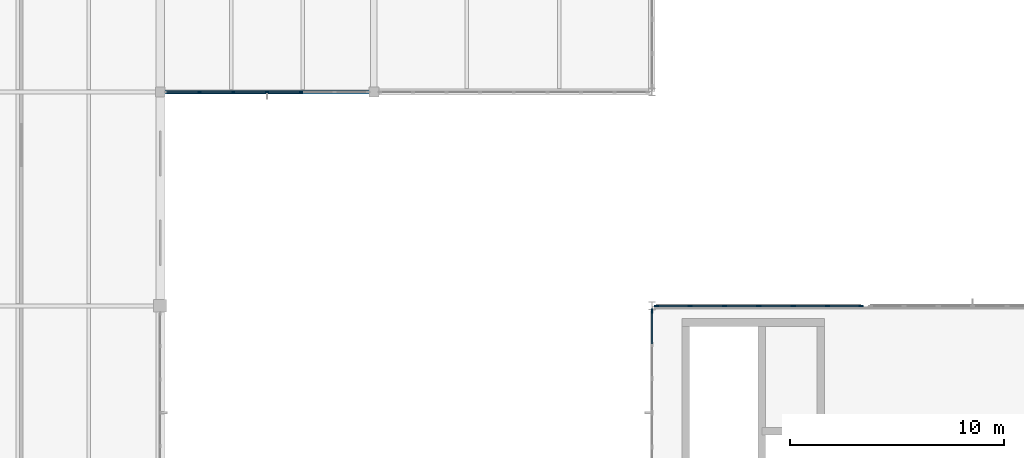
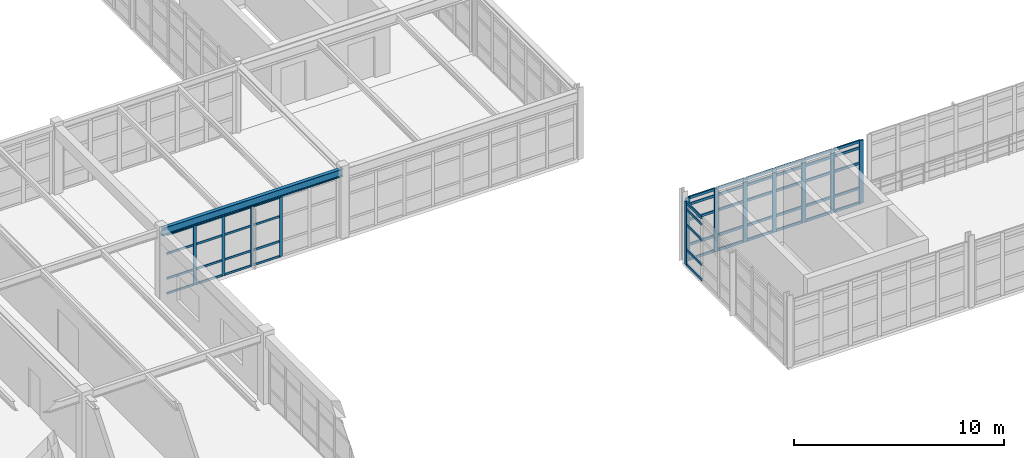
# One storey, part 37 of 122: 63 members, 1 beam, 3 elements without a shape of their own.
"""IFC4 building model written with IfcOpenShell, lengths in metres."""

from ifc_helpers import new_model, si_unit, direction, frame, origin, origin_2d, place, context, subcontext, project, spatial, rectangle, i_section, extrude, material, layer, layer_set, material_profile, profile_set, type_object, element, aggregate, save


model = new_model("IFC4")

# Units and contexts
model_context = context("Model", 3, precision=1e-05, world=origin(), true_north=direction((0.0, 1.0)))
body_context = subcontext(model_context, "Body", "Model", "MODEL_VIEW")
ifc_project = project(units=[si_unit("LENGTHUNIT", "METRE"), si_unit("AREAUNIT", "SQUARE_METRE"), si_unit("VOLUMEUNIT", "CUBIC_METRE"), si_unit("PLANEANGLEUNIT", "RADIAN"), si_unit("MASSUNIT", "GRAM", prefix="KILO"), si_unit("THERMODYNAMICTEMPERATUREUNIT", "KELVIN"), si_unit("POWERUNIT", "WATT")], contexts=[model_context])

# Site, building, storey
site_placement = place(None, origin())
site = spatial("IfcSite", under=ifc_project, at=site_placement, CompositionType="ELEMENT")
building_placement = place(site_placement, origin())
building = spatial("IfcBuilding", under=site, at=building_placement, Name="Korenveer Ferry Terminal", CompositionType="ELEMENT")
storey_placement = place(building_placement, frame((0.0, 0.0, 10.199951171875)))
storey = spatial("IfcBuildingStorey", under=building, at=storey_placement, Name="L02", CompositionType="ELEMENT", Elevation=10.199951171875)

# Curtain wall, members
ifc_material_1 = material(Name="Unitised bronze-and-glass curtain wall", Category="glass")
ifc_layer_1 = layer(ifc_material_1, 0.159912109375)
ifc_layer_set_1 = layer_set([ifc_layer_1], Name="Unitised bronze-and-glass curtain wall")
curtain_wall_type_1 = type_object("IfcCurtainWallType", Name="ENV-CW-89", PredefinedType="USERDEFINED", material=ifc_layer_set_1)
curtain_wall_1_placement = place(storey_placement, frame((30.2548828125, 70.0, 0.0)))
curtain_wall_1 = element("IfcCurtainWall", 1, at=curtain_wall_1_placement, inside=storey, type_object=curtain_wall_type_1, Name="Lancet curtain wall CWX-L02-X30-40-Y70-70", ObjectType="UNITISED CURTAIN WALL", PredefinedType="USERDEFINED")
ifc_material_2 = material(Name="Anodised bronze aluminium", Category="aluminium")
ifc_material_profile_1 = material_profile(ifc_material_2, rectangle(XDim=0.06005859375, YDim=0.159912109375, at=origin_2d()), Name="ALU 60x160")
ifc_profile_set_1 = profile_set([ifc_material_profile_1], Name="Anodised bronze aluminium")
member_type_1 = type_object("IfcMemberType", Name="ENV-CWM-60X160", PredefinedType="MULLION", material=ifc_profile_set_1)
member_1_placement = place(storey_placement, frame((31.836669921875, 70.0, 0.0), z_axis=(0.0, 0.0, 1.0), x_axis=(0.0, 1.0, 0.0)))
member_1 = element("IfcMember", 2, at=member_1_placement, type_object=member_type_1, Name="CW-89 mullion 2", PredefinedType="MULLION", context=body_context, shape_type="SweptSolid", body=[
    extrude(rectangle(XDim=0.06005859375, YDim=0.159912109375, at=origin_2d()), origin(), (0.0, 0.0, 1.0), 3.47998046875),
])
member_2_placement = place(storey_placement, frame((33.418212890625, 70.0, 0.0), z_axis=(0.0, 0.0, 1.0), x_axis=(0.0, 1.0, 0.0)))
member_2 = element("IfcMember", 3, at=member_2_placement, type_object=member_type_1, Name="CW-89 mullion 3", PredefinedType="MULLION", context=body_context, shape_type="SweptSolid", body=[
    extrude(rectangle(XDim=0.06005859375, YDim=0.159912109375, at=origin_2d()), origin(), (0.0, 0.0, 1.0), 3.47998046875),
])
member_3_placement = place(storey_placement, frame((35.0, 70.0, 0.0), z_axis=(0.0, 0.0, 1.0), x_axis=(0.0, 1.0, 0.0)))
member_3 = element("IfcMember", 4, at=member_3_placement, type_object=member_type_1, Name="CW-89 mullion 4", PredefinedType="MULLION", context=body_context, shape_type="SweptSolid", body=[
    extrude(rectangle(XDim=0.06005859375, YDim=0.159912109375, at=origin_2d()), origin(), (0.0, 0.0, 1.0), 3.47998046875),
])
member_4_placement = place(storey_placement, frame((36.581787109375, 70.0, 0.0), z_axis=(0.0, 0.0, 1.0), x_axis=(0.0, 1.0, 0.0)))
member_4 = element("IfcMember", 5, at=member_4_placement, type_object=member_type_1, Name="CW-89 mullion 5", PredefinedType="MULLION", context=body_context, shape_type="SweptSolid", body=[
    extrude(rectangle(XDim=0.06005859375, YDim=0.159912109375, at=origin_2d()), origin(), (0.0, 0.0, 1.0), 3.47998046875),
])

ifc_layer_2 = layer(ifc_material_1, 0.219970703125)
ifc_layer_set_2 = layer_set([ifc_layer_2], Name="Unitised bronze-and-glass curtain wall")
curtain_wall_type_2 = type_object("IfcCurtainWallType", Name="ENV-CW-91", PredefinedType="USERDEFINED", material=ifc_layer_set_2)
curtain_wall_2_placement = place(storey_placement, frame((53.179931640625, 60.0, 0.0)))
curtain_wall_2 = element("IfcCurtainWall", 6, at=curtain_wall_2_placement, inside=storey, type_object=curtain_wall_type_2, Name="Lancet curtain wall CWX-L02-X53-63-Y60-60", ObjectType="UNITISED CURTAIN WALL", PredefinedType="USERDEFINED")
ifc_material_profile_2 = material_profile(ifc_material_2, rectangle(XDim=0.074951171875, YDim=0.219970703125, at=origin_2d()), Name="ALU 75x220")
ifc_profile_set_2 = profile_set([ifc_material_profile_2], Name="Anodised bronze aluminium")
member_type_2 = type_object("IfcMemberType", Name="ENV-CWM-75X220", PredefinedType="MULLION", material=ifc_profile_set_2)
member_5_placement = place(storey_placement, frame((53.217529296875, 60.0, 0.0), z_axis=(0.0, 0.0, 1.0), x_axis=(0.0, 1.0, 0.0)))
member_5 = element("IfcMember", 7, at=member_5_placement, type_object=member_type_2, Name="CW-91 mullion 1", PredefinedType="MULLION", context=body_context, shape_type="SweptSolid", body=[
    extrude(rectangle(XDim=0.074951171875, YDim=0.219970703125, at=origin_2d()), origin(), (0.0, 0.0, 1.0), 3.66015625),
])
member_6_placement = place(storey_placement, frame((54.78662109375, 60.0, 0.0), z_axis=(0.0, 0.0, 1.0), x_axis=(0.0, 1.0, 0.0)))
member_6 = element("IfcMember", 8, at=member_6_placement, type_object=member_type_2, Name="CW-91 mullion 2", PredefinedType="MULLION", context=body_context, shape_type="SweptSolid", body=[
    extrude(rectangle(XDim=0.074951171875, YDim=0.219970703125, at=origin_2d()), origin(), (0.0, 0.0, 1.0), 3.66015625),
])
member_7_placement = place(storey_placement, frame((56.393310546875, 60.0, 0.0), z_axis=(0.0, 0.0, 1.0), x_axis=(0.0, 1.0, 0.0)))
member_7 = element("IfcMember", 9, at=member_7_placement, type_object=member_type_2, Name="CW-91 mullion 3", PredefinedType="MULLION", context=body_context, shape_type="SweptSolid", body=[
    extrude(rectangle(XDim=0.074951171875, YDim=0.219970703125, at=origin_2d()), origin(), (0.0, 0.0, 1.0), 3.66015625),
])
member_8_placement = place(storey_placement, frame((58.0, 60.0, 0.0), z_axis=(0.0, 0.0, 1.0), x_axis=(0.0, 1.0, 0.0)))
member_8 = element("IfcMember", 10, at=member_8_placement, type_object=member_type_2, Name="CW-91 mullion 4", PredefinedType="MULLION", context=body_context, shape_type="SweptSolid", body=[
    extrude(rectangle(XDim=0.074951171875, YDim=0.219970703125, at=origin_2d()), origin(), (0.0, 0.0, 1.0), 3.66015625),
])
member_9_placement = place(storey_placement, frame((59.606689453125, 60.0, 0.0), z_axis=(0.0, 0.0, 1.0), x_axis=(0.0, 1.0, 0.0)))
member_9 = element("IfcMember", 11, at=member_9_placement, type_object=member_type_2, Name="CW-91 mullion 5", PredefinedType="MULLION", context=body_context, shape_type="SweptSolid", body=[
    extrude(rectangle(XDim=0.074951171875, YDim=0.219970703125, at=origin_2d()), origin(), (0.0, 0.0, 1.0), 3.66015625),
])
member_10_placement = place(storey_placement, frame((61.21337890625, 60.0, 0.0), z_axis=(0.0, 0.0, 1.0), x_axis=(0.0, 1.0, 0.0)))
member_10 = element("IfcMember", 12, at=member_10_placement, type_object=member_type_2, Name="CW-91 mullion 6", PredefinedType="MULLION", context=body_context, shape_type="SweptSolid", body=[
    extrude(rectangle(XDim=0.074951171875, YDim=0.219970703125, at=origin_2d()), origin(), (0.0, 0.0, 1.0), 3.66015625),
])
member_11_placement = place(storey_placement, frame((62.782470703125, 60.0, 0.0), z_axis=(0.0, 0.0, 1.0), x_axis=(0.0, 1.0, 0.0)))
member_11 = element("IfcMember", 13, at=member_11_placement, type_object=member_type_2, Name="CW-91 mullion 7", PredefinedType="MULLION", context=body_context, shape_type="SweptSolid", body=[
    extrude(rectangle(XDim=0.074951171875, YDim=0.219970703125, at=origin_2d()), origin(), (0.0, 0.0, 1.0), 3.66015625),
])

# Curtain wall, member
ifc_layer_3 = layer(ifc_material_1, 0.219970703125)
ifc_layer_set_3 = layer_set([ifc_layer_3], Name="Unitised bronze-and-glass curtain wall")
curtain_wall_type_3 = type_object("IfcCurtainWallType", Name="ENV-CW-115", PredefinedType="USERDEFINED", material=ifc_layer_set_3)
curtain_wall_3_placement = place(storey_placement, frame((53.0, 50.2099609375, 0.0)))
curtain_wall_3 = element("IfcCurtainWall", 14, at=curtain_wall_3_placement, inside=storey, type_object=curtain_wall_type_3, Name="Lancet curtain wall CWX-L02-X53-53-Y50-60", ObjectType="UNITISED CURTAIN WALL", PredefinedType="USERDEFINED")
member_12_placement = place(storey_placement, frame((53.0, 59.75244140625, 0.0), z_axis=(0.0, 0.0, 1.0), x_axis=(-1.0, 0.0, 0.0)))
member_12 = element("IfcMember", 15, at=member_12_placement, type_object=member_type_2, Name="CW-115 mullion 7", PredefinedType="MULLION", context=body_context, shape_type="SweptSolid", body=[
    extrude(rectangle(XDim=0.074951171875, YDim=0.219970703125, at=origin_2d()), origin(), (0.0, 0.0, 1.0), 3.66015625),
])

# Member
ifc_material_profile_3 = material_profile(ifc_material_2, rectangle(XDim=0.06005859375, YDim=0.1201171875, at=origin_2d()), Name="ALU 60x120")
ifc_profile_set_3 = profile_set([ifc_material_profile_3], Name="Anodised bronze aluminium")
member_type_3 = type_object("IfcMemberType", Name="ENV-CWT-60X120", PredefinedType="USERDEFINED", material=ifc_profile_set_3)
member_13_placement = place(storey_placement, frame((30.31494140625, 70.0, 0.030029296875), z_axis=(1.0, 0.0, 0.0), x_axis=(0.0, 1.0, 0.0)))
member_13 = element("IfcMember", 16, at=member_13_placement, type_object=member_type_3, Name="CW-89 transom 1.1", ObjectType="TRANSOM", PredefinedType="USERDEFINED", context=body_context, shape_type="SweptSolid", body=[
    extrude(rectangle(XDim=0.06005859375, YDim=0.1201171875, at=origin_2d()), origin(), (0.0, 0.0, 1.0), 1.49169921875),
])

member_14_placement = place(storey_placement, frame((30.31494140625, 70.0, 0.900146484375), z_axis=(1.0, 0.0, 0.0), x_axis=(0.0, 1.0, 0.0)))
member_14 = element("IfcMember", 17, at=member_14_placement, type_object=member_type_3, Name="CW-89 transom 1.2", ObjectType="TRANSOM", PredefinedType="USERDEFINED", context=body_context, shape_type="SweptSolid", body=[
    extrude(rectangle(XDim=0.06005859375, YDim=0.1201171875, at=origin_2d()), origin(), (0.0, 0.0, 1.0), 1.49169921875),
])

member_15_placement = place(storey_placement, frame((30.31494140625, 70.0, 2.35009765625), z_axis=(1.0, 0.0, 0.0), x_axis=(0.0, 1.0, 0.0)))
member_15 = element("IfcMember", 18, at=member_15_placement, type_object=member_type_3, Name="CW-89 transom 1.3", ObjectType="TRANSOM", PredefinedType="USERDEFINED", context=body_context, shape_type="SweptSolid", body=[
    extrude(rectangle(XDim=0.06005859375, YDim=0.1201171875, at=origin_2d()), origin(), (0.0, 0.0, 1.0), 1.49169921875),
])

member_16_placement = place(storey_placement, frame((30.31494140625, 70.0, 3.449951171875), z_axis=(1.0, 0.0, 0.0), x_axis=(0.0, 1.0, 0.0)))
member_16 = element("IfcMember", 19, at=member_16_placement, type_object=member_type_3, Name="CW-89 transom 1.4", ObjectType="TRANSOM", PredefinedType="USERDEFINED", context=body_context, shape_type="SweptSolid", body=[
    extrude(rectangle(XDim=0.06005859375, YDim=0.1201171875, at=origin_2d()), origin(), (0.0, 0.0, 1.0), 1.49169921875),
])

member_17_placement = place(storey_placement, frame((31.86669921875, 70.0, 0.030029296875), z_axis=(1.0, 0.0, 0.0), x_axis=(0.0, 1.0, 0.0)))
member_17 = element("IfcMember", 20, at=member_17_placement, type_object=member_type_3, Name="CW-89 transom 2.1", ObjectType="TRANSOM", PredefinedType="USERDEFINED", context=body_context, shape_type="SweptSolid", body=[
    extrude(rectangle(XDim=0.06005859375, YDim=0.1201171875, at=origin_2d()), origin(), (0.0, 0.0, 1.0), 1.521728515625),
])

member_18_placement = place(storey_placement, frame((31.86669921875, 70.0, 0.900146484375), z_axis=(1.0, 0.0, 0.0), x_axis=(0.0, 1.0, 0.0)))
member_18 = element("IfcMember", 21, at=member_18_placement, type_object=member_type_3, Name="CW-89 transom 2.2", ObjectType="TRANSOM", PredefinedType="USERDEFINED", context=body_context, shape_type="SweptSolid", body=[
    extrude(rectangle(XDim=0.06005859375, YDim=0.1201171875, at=origin_2d()), origin(), (0.0, 0.0, 1.0), 1.521728515625),
])

member_19_placement = place(storey_placement, frame((31.86669921875, 70.0, 2.35009765625), z_axis=(1.0, 0.0, 0.0), x_axis=(0.0, 1.0, 0.0)))
member_19 = element("IfcMember", 22, at=member_19_placement, type_object=member_type_3, Name="CW-89 transom 2.3", ObjectType="TRANSOM", PredefinedType="USERDEFINED", context=body_context, shape_type="SweptSolid", body=[
    extrude(rectangle(XDim=0.06005859375, YDim=0.1201171875, at=origin_2d()), origin(), (0.0, 0.0, 1.0), 1.521728515625),
])

member_20_placement = place(storey_placement, frame((31.86669921875, 70.0, 3.449951171875), z_axis=(1.0, 0.0, 0.0), x_axis=(0.0, 1.0, 0.0)))
member_20 = element("IfcMember", 23, at=member_20_placement, type_object=member_type_3, Name="CW-89 transom 2.4", ObjectType="TRANSOM", PredefinedType="USERDEFINED", context=body_context, shape_type="SweptSolid", body=[
    extrude(rectangle(XDim=0.06005859375, YDim=0.1201171875, at=origin_2d()), origin(), (0.0, 0.0, 1.0), 1.521728515625),
])

member_21_placement = place(storey_placement, frame((33.4482421875, 70.0, 0.030029296875), z_axis=(1.0, 0.0, 0.0), x_axis=(0.0, 1.0, 0.0)))
member_21 = element("IfcMember", 24, at=member_21_placement, type_object=member_type_3, Name="CW-89 transom 3.1", ObjectType="TRANSOM", PredefinedType="USERDEFINED", context=body_context, shape_type="SweptSolid", body=[
    extrude(rectangle(XDim=0.06005859375, YDim=0.1201171875, at=origin_2d()), origin(), (0.0, 0.0, 1.0), 1.521728515625),
])

member_22_placement = place(storey_placement, frame((33.4482421875, 70.0, 0.900146484375), z_axis=(1.0, 0.0, 0.0), x_axis=(0.0, 1.0, 0.0)))
member_22 = element("IfcMember", 25, at=member_22_placement, type_object=member_type_3, Name="CW-89 transom 3.2", ObjectType="TRANSOM", PredefinedType="USERDEFINED", context=body_context, shape_type="SweptSolid", body=[
    extrude(rectangle(XDim=0.06005859375, YDim=0.1201171875, at=origin_2d()), origin(), (0.0, 0.0, 1.0), 1.521728515625),
])

member_23_placement = place(storey_placement, frame((33.4482421875, 70.0, 2.35009765625), z_axis=(1.0, 0.0, 0.0), x_axis=(0.0, 1.0, 0.0)))
member_23 = element("IfcMember", 26, at=member_23_placement, type_object=member_type_3, Name="CW-89 transom 3.3", ObjectType="TRANSOM", PredefinedType="USERDEFINED", context=body_context, shape_type="SweptSolid", body=[
    extrude(rectangle(XDim=0.06005859375, YDim=0.1201171875, at=origin_2d()), origin(), (0.0, 0.0, 1.0), 1.521728515625),
])

member_24_placement = place(storey_placement, frame((33.4482421875, 70.0, 3.449951171875), z_axis=(1.0, 0.0, 0.0), x_axis=(0.0, 1.0, 0.0)))
member_24 = element("IfcMember", 27, at=member_24_placement, type_object=member_type_3, Name="CW-89 transom 3.4", ObjectType="TRANSOM", PredefinedType="USERDEFINED", context=body_context, shape_type="SweptSolid", body=[
    extrude(rectangle(XDim=0.06005859375, YDim=0.1201171875, at=origin_2d()), origin(), (0.0, 0.0, 1.0), 1.521728515625),
])

member_25_placement = place(storey_placement, frame((35.030029296875, 70.0, 0.030029296875), z_axis=(1.0, 0.0, 0.0), x_axis=(0.0, 1.0, 0.0)))
member_25 = element("IfcMember", 28, at=member_25_placement, type_object=member_type_3, Name="CW-89 transom 4.1", ObjectType="TRANSOM", PredefinedType="USERDEFINED", context=body_context, shape_type="SweptSolid", body=[
    extrude(rectangle(XDim=0.06005859375, YDim=0.1201171875, at=origin_2d()), origin(), (0.0, 0.0, 1.0), 1.521728515625),
])

member_26_placement = place(storey_placement, frame((35.030029296875, 70.0, 0.900146484375), z_axis=(1.0, 0.0, 0.0), x_axis=(0.0, 1.0, 0.0)))
member_26 = element("IfcMember", 29, at=member_26_placement, type_object=member_type_3, Name="CW-89 transom 4.2", ObjectType="TRANSOM", PredefinedType="USERDEFINED", context=body_context, shape_type="SweptSolid", body=[
    extrude(rectangle(XDim=0.06005859375, YDim=0.1201171875, at=origin_2d()), origin(), (0.0, 0.0, 1.0), 1.521728515625),
])

member_27_placement = place(storey_placement, frame((35.030029296875, 70.0, 2.35009765625), z_axis=(1.0, 0.0, 0.0), x_axis=(0.0, 1.0, 0.0)))
member_27 = element("IfcMember", 30, at=member_27_placement, type_object=member_type_3, Name="CW-89 transom 4.3", ObjectType="TRANSOM", PredefinedType="USERDEFINED", context=body_context, shape_type="SweptSolid", body=[
    extrude(rectangle(XDim=0.06005859375, YDim=0.1201171875, at=origin_2d()), origin(), (0.0, 0.0, 1.0), 1.521728515625),
])

member_28_placement = place(storey_placement, frame((35.030029296875, 70.0, 3.449951171875), z_axis=(1.0, 0.0, 0.0), x_axis=(0.0, 1.0, 0.0)))
member_28 = element("IfcMember", 31, at=member_28_placement, type_object=member_type_3, Name="CW-89 transom 4.4", ObjectType="TRANSOM", PredefinedType="USERDEFINED", context=body_context, shape_type="SweptSolid", body=[
    extrude(rectangle(XDim=0.06005859375, YDim=0.1201171875, at=origin_2d()), origin(), (0.0, 0.0, 1.0), 1.521728515625),
])

aggregate(curtain_wall_1, [member_1, member_2, member_3, member_4, member_13, member_14, member_15, member_16, member_17, member_18, member_19, member_20, member_21, member_22, member_23, member_24, member_25, member_26, member_27, member_28])

ifc_material_profile_4 = material_profile(ifc_material_2, rectangle(XDim=0.074951171875, YDim=0.14990234375, at=origin_2d()), Name="ALU 75x150")
ifc_profile_set_4 = profile_set([ifc_material_profile_4], Name="Anodised bronze aluminium")
member_type_4 = type_object("IfcMemberType", Name="ENV-CWT-75X150", PredefinedType="USERDEFINED", material=ifc_profile_set_4)
member_29_placement = place(storey_placement, frame((53.2548828125, 60.0, 0.03759765625), z_axis=(1.0, 0.0, 0.0), x_axis=(0.0, 1.0, 0.0)))
member_29 = element("IfcMember", 32, at=member_29_placement, type_object=member_type_4, Name="CW-91 transom 1.1", ObjectType="TRANSOM", PredefinedType="USERDEFINED", context=body_context, shape_type="SweptSolid", body=[
    extrude(rectangle(XDim=0.074951171875, YDim=0.14990234375, at=origin_2d()), origin(), (0.0, 0.0, 1.0), 1.494384765625),
])

member_30_placement = place(storey_placement, frame((53.2548828125, 60.0, 0.900146484375), z_axis=(1.0, 0.0, 0.0), x_axis=(0.0, 1.0, 0.0)))
member_30 = element("IfcMember", 33, at=member_30_placement, type_object=member_type_4, Name="CW-91 transom 1.2", ObjectType="TRANSOM", PredefinedType="USERDEFINED", context=body_context, shape_type="SweptSolid", body=[
    extrude(rectangle(XDim=0.074951171875, YDim=0.14990234375, at=origin_2d()), origin(), (0.0, 0.0, 1.0), 1.494384765625),
])

member_31_placement = place(storey_placement, frame((53.2548828125, 60.0, 2.35009765625), z_axis=(1.0, 0.0, 0.0), x_axis=(0.0, 1.0, 0.0)))
member_31 = element("IfcMember", 34, at=member_31_placement, type_object=member_type_4, Name="CW-91 transom 1.3", ObjectType="TRANSOM", PredefinedType="USERDEFINED", context=body_context, shape_type="SweptSolid", body=[
    extrude(rectangle(XDim=0.074951171875, YDim=0.14990234375, at=origin_2d()), origin(), (0.0, 0.0, 1.0), 1.494384765625),
])

member_32_placement = place(storey_placement, frame((53.2548828125, 60.0, 3.25), z_axis=(1.0, 0.0, 0.0), x_axis=(0.0, 1.0, 0.0)))
member_32 = element("IfcMember", 35, at=member_32_placement, type_object=member_type_4, Name="CW-91 transom 1.4", ObjectType="TRANSOM", PredefinedType="USERDEFINED", context=body_context, shape_type="SweptSolid", body=[
    extrude(rectangle(XDim=0.074951171875, YDim=0.14990234375, at=origin_2d()), origin(), (0.0, 0.0, 1.0), 1.494384765625),
])

member_33_placement = place(storey_placement, frame((53.2548828125, 60.0, 3.62255859375), z_axis=(1.0, 0.0, 0.0), x_axis=(0.0, 1.0, 0.0)))
member_33 = element("IfcMember", 36, at=member_33_placement, type_object=member_type_4, Name="CW-91 transom 1.5", ObjectType="TRANSOM", PredefinedType="USERDEFINED", context=body_context, shape_type="SweptSolid", body=[
    extrude(rectangle(XDim=0.074951171875, YDim=0.14990234375, at=origin_2d()), origin(), (0.0, 0.0, 1.0), 1.494384765625),
])

member_34_placement = place(storey_placement, frame((54.82421875, 60.0, 0.03759765625), z_axis=(1.0, 0.0, 0.0), x_axis=(0.0, 1.0, 0.0)))
member_34 = element("IfcMember", 37, at=member_34_placement, type_object=member_type_4, Name="CW-91 transom 2.1", ObjectType="TRANSOM", PredefinedType="USERDEFINED", context=body_context, shape_type="SweptSolid", body=[
    extrude(rectangle(XDim=0.074951171875, YDim=0.14990234375, at=origin_2d()), origin(), (0.0, 0.0, 1.0), 1.531494140625),
])

member_35_placement = place(storey_placement, frame((54.82421875, 60.0, 0.900146484375), z_axis=(1.0, 0.0, 0.0), x_axis=(0.0, 1.0, 0.0)))
member_35 = element("IfcMember", 38, at=member_35_placement, type_object=member_type_4, Name="CW-91 transom 2.2", ObjectType="TRANSOM", PredefinedType="USERDEFINED", context=body_context, shape_type="SweptSolid", body=[
    extrude(rectangle(XDim=0.074951171875, YDim=0.14990234375, at=origin_2d()), origin(), (0.0, 0.0, 1.0), 1.531494140625),
])

member_36_placement = place(storey_placement, frame((54.82421875, 60.0, 2.35009765625), z_axis=(1.0, 0.0, 0.0), x_axis=(0.0, 1.0, 0.0)))
member_36 = element("IfcMember", 39, at=member_36_placement, type_object=member_type_4, Name="CW-91 transom 2.3", ObjectType="TRANSOM", PredefinedType="USERDEFINED", context=body_context, shape_type="SweptSolid", body=[
    extrude(rectangle(XDim=0.074951171875, YDim=0.14990234375, at=origin_2d()), origin(), (0.0, 0.0, 1.0), 1.531494140625),
])

member_37_placement = place(storey_placement, frame((54.82421875, 60.0, 3.25), z_axis=(1.0, 0.0, 0.0), x_axis=(0.0, 1.0, 0.0)))
member_37 = element("IfcMember", 40, at=member_37_placement, type_object=member_type_4, Name="CW-91 transom 2.4", ObjectType="TRANSOM", PredefinedType="USERDEFINED", context=body_context, shape_type="SweptSolid", body=[
    extrude(rectangle(XDim=0.074951171875, YDim=0.14990234375, at=origin_2d()), origin(), (0.0, 0.0, 1.0), 1.531494140625),
])

member_38_placement = place(storey_placement, frame((54.82421875, 60.0, 3.62255859375), z_axis=(1.0, 0.0, 0.0), x_axis=(0.0, 1.0, 0.0)))
member_38 = element("IfcMember", 41, at=member_38_placement, type_object=member_type_4, Name="CW-91 transom 2.5", ObjectType="TRANSOM", PredefinedType="USERDEFINED", context=body_context, shape_type="SweptSolid", body=[
    extrude(rectangle(XDim=0.074951171875, YDim=0.14990234375, at=origin_2d()), origin(), (0.0, 0.0, 1.0), 1.531494140625),
])

member_39_placement = place(storey_placement, frame((56.430908203125, 60.0, 0.03759765625), z_axis=(1.0, 0.0, 0.0), x_axis=(0.0, 1.0, 0.0)))
member_39 = element("IfcMember", 42, at=member_39_placement, type_object=member_type_4, Name="CW-91 transom 3.1", ObjectType="TRANSOM", PredefinedType="USERDEFINED", context=body_context, shape_type="SweptSolid", body=[
    extrude(rectangle(XDim=0.074951171875, YDim=0.14990234375, at=origin_2d()), origin(), (0.0, 0.0, 1.0), 1.531494140625),
])

member_40_placement = place(storey_placement, frame((56.430908203125, 60.0, 0.900146484375), z_axis=(1.0, 0.0, 0.0), x_axis=(0.0, 1.0, 0.0)))
member_40 = element("IfcMember", 43, at=member_40_placement, type_object=member_type_4, Name="CW-91 transom 3.2", ObjectType="TRANSOM", PredefinedType="USERDEFINED", context=body_context, shape_type="SweptSolid", body=[
    extrude(rectangle(XDim=0.074951171875, YDim=0.14990234375, at=origin_2d()), origin(), (0.0, 0.0, 1.0), 1.531494140625),
])

member_41_placement = place(storey_placement, frame((56.430908203125, 60.0, 2.35009765625), z_axis=(1.0, 0.0, 0.0), x_axis=(0.0, 1.0, 0.0)))
member_41 = element("IfcMember", 44, at=member_41_placement, type_object=member_type_4, Name="CW-91 transom 3.3", ObjectType="TRANSOM", PredefinedType="USERDEFINED", context=body_context, shape_type="SweptSolid", body=[
    extrude(rectangle(XDim=0.074951171875, YDim=0.14990234375, at=origin_2d()), origin(), (0.0, 0.0, 1.0), 1.531494140625),
])

member_42_placement = place(storey_placement, frame((56.430908203125, 60.0, 3.25), z_axis=(1.0, 0.0, 0.0), x_axis=(0.0, 1.0, 0.0)))
member_42 = element("IfcMember", 45, at=member_42_placement, type_object=member_type_4, Name="CW-91 transom 3.4", ObjectType="TRANSOM", PredefinedType="USERDEFINED", context=body_context, shape_type="SweptSolid", body=[
    extrude(rectangle(XDim=0.074951171875, YDim=0.14990234375, at=origin_2d()), origin(), (0.0, 0.0, 1.0), 1.531494140625),
])

member_43_placement = place(storey_placement, frame((56.430908203125, 60.0, 3.62255859375), z_axis=(1.0, 0.0, 0.0), x_axis=(0.0, 1.0, 0.0)))
member_43 = element("IfcMember", 46, at=member_43_placement, type_object=member_type_4, Name="CW-91 transom 3.5", ObjectType="TRANSOM", PredefinedType="USERDEFINED", context=body_context, shape_type="SweptSolid", body=[
    extrude(rectangle(XDim=0.074951171875, YDim=0.14990234375, at=origin_2d()), origin(), (0.0, 0.0, 1.0), 1.531494140625),
])

member_44_placement = place(storey_placement, frame((58.03759765625, 60.0, 0.03759765625), z_axis=(1.0, 0.0, 0.0), x_axis=(0.0, 1.0, 0.0)))
member_44 = element("IfcMember", 47, at=member_44_placement, type_object=member_type_4, Name="CW-91 transom 4.1", ObjectType="TRANSOM", PredefinedType="USERDEFINED", context=body_context, shape_type="SweptSolid", body=[
    extrude(rectangle(XDim=0.074951171875, YDim=0.14990234375, at=origin_2d()), origin(), (0.0, 0.0, 1.0), 1.531494140625),
])

member_45_placement = place(storey_placement, frame((58.03759765625, 60.0, 0.900146484375), z_axis=(1.0, 0.0, 0.0), x_axis=(0.0, 1.0, 0.0)))
member_45 = element("IfcMember", 48, at=member_45_placement, type_object=member_type_4, Name="CW-91 transom 4.2", ObjectType="TRANSOM", PredefinedType="USERDEFINED", context=body_context, shape_type="SweptSolid", body=[
    extrude(rectangle(XDim=0.074951171875, YDim=0.14990234375, at=origin_2d()), origin(), (0.0, 0.0, 1.0), 1.531494140625),
])

member_46_placement = place(storey_placement, frame((58.03759765625, 60.0, 2.35009765625), z_axis=(1.0, 0.0, 0.0), x_axis=(0.0, 1.0, 0.0)))
member_46 = element("IfcMember", 49, at=member_46_placement, type_object=member_type_4, Name="CW-91 transom 4.3", ObjectType="TRANSOM", PredefinedType="USERDEFINED", context=body_context, shape_type="SweptSolid", body=[
    extrude(rectangle(XDim=0.074951171875, YDim=0.14990234375, at=origin_2d()), origin(), (0.0, 0.0, 1.0), 1.531494140625),
])

member_47_placement = place(storey_placement, frame((58.03759765625, 60.0, 3.25), z_axis=(1.0, 0.0, 0.0), x_axis=(0.0, 1.0, 0.0)))
member_47 = element("IfcMember", 50, at=member_47_placement, type_object=member_type_4, Name="CW-91 transom 4.4", ObjectType="TRANSOM", PredefinedType="USERDEFINED", context=body_context, shape_type="SweptSolid", body=[
    extrude(rectangle(XDim=0.074951171875, YDim=0.14990234375, at=origin_2d()), origin(), (0.0, 0.0, 1.0), 1.531494140625),
])

member_48_placement = place(storey_placement, frame((58.03759765625, 60.0, 3.62255859375), z_axis=(1.0, 0.0, 0.0), x_axis=(0.0, 1.0, 0.0)))
member_48 = element("IfcMember", 51, at=member_48_placement, type_object=member_type_4, Name="CW-91 transom 4.5", ObjectType="TRANSOM", PredefinedType="USERDEFINED", context=body_context, shape_type="SweptSolid", body=[
    extrude(rectangle(XDim=0.074951171875, YDim=0.14990234375, at=origin_2d()), origin(), (0.0, 0.0, 1.0), 1.531494140625),
])

member_49_placement = place(storey_placement, frame((59.644287109375, 60.0, 0.03759765625), z_axis=(1.0, 0.0, 0.0), x_axis=(0.0, 1.0, 0.0)))
member_49 = element("IfcMember", 52, at=member_49_placement, type_object=member_type_4, Name="CW-91 transom 5.1", ObjectType="TRANSOM", PredefinedType="USERDEFINED", context=body_context, shape_type="SweptSolid", body=[
    extrude(rectangle(XDim=0.074951171875, YDim=0.14990234375, at=origin_2d()), origin(), (0.0, 0.0, 1.0), 1.531494140625),
])

member_50_placement = place(storey_placement, frame((59.644287109375, 60.0, 0.900146484375), z_axis=(1.0, 0.0, 0.0), x_axis=(0.0, 1.0, 0.0)))
member_50 = element("IfcMember", 53, at=member_50_placement, type_object=member_type_4, Name="CW-91 transom 5.2", ObjectType="TRANSOM", PredefinedType="USERDEFINED", context=body_context, shape_type="SweptSolid", body=[
    extrude(rectangle(XDim=0.074951171875, YDim=0.14990234375, at=origin_2d()), origin(), (0.0, 0.0, 1.0), 1.531494140625),
])

member_51_placement = place(storey_placement, frame((59.644287109375, 60.0, 2.35009765625), z_axis=(1.0, 0.0, 0.0), x_axis=(0.0, 1.0, 0.0)))
member_51 = element("IfcMember", 54, at=member_51_placement, type_object=member_type_4, Name="CW-91 transom 5.3", ObjectType="TRANSOM", PredefinedType="USERDEFINED", context=body_context, shape_type="SweptSolid", body=[
    extrude(rectangle(XDim=0.074951171875, YDim=0.14990234375, at=origin_2d()), origin(), (0.0, 0.0, 1.0), 1.531494140625),
])

member_52_placement = place(storey_placement, frame((59.644287109375, 60.0, 3.25), z_axis=(1.0, 0.0, 0.0), x_axis=(0.0, 1.0, 0.0)))
member_52 = element("IfcMember", 55, at=member_52_placement, type_object=member_type_4, Name="CW-91 transom 5.4", ObjectType="TRANSOM", PredefinedType="USERDEFINED", context=body_context, shape_type="SweptSolid", body=[
    extrude(rectangle(XDim=0.074951171875, YDim=0.14990234375, at=origin_2d()), origin(), (0.0, 0.0, 1.0), 1.531494140625),
])

member_53_placement = place(storey_placement, frame((59.644287109375, 60.0, 3.62255859375), z_axis=(1.0, 0.0, 0.0), x_axis=(0.0, 1.0, 0.0)))
member_53 = element("IfcMember", 56, at=member_53_placement, type_object=member_type_4, Name="CW-91 transom 5.5", ObjectType="TRANSOM", PredefinedType="USERDEFINED", context=body_context, shape_type="SweptSolid", body=[
    extrude(rectangle(XDim=0.074951171875, YDim=0.14990234375, at=origin_2d()), origin(), (0.0, 0.0, 1.0), 1.531494140625),
])

member_54_placement = place(storey_placement, frame((61.250732421875, 60.0, 0.03759765625), z_axis=(1.0, 0.0, 0.0), x_axis=(0.0, 1.0, 0.0)))
member_54 = element("IfcMember", 57, at=member_54_placement, type_object=member_type_4, Name="CW-91 transom 6.1", ObjectType="TRANSOM", PredefinedType="USERDEFINED", context=body_context, shape_type="SweptSolid", body=[
    extrude(rectangle(XDim=0.074951171875, YDim=0.14990234375, at=origin_2d()), origin(), (0.0, 0.0, 1.0), 1.494384765625),
])

member_55_placement = place(storey_placement, frame((61.250732421875, 60.0, 0.900146484375), z_axis=(1.0, 0.0, 0.0), x_axis=(0.0, 1.0, 0.0)))
member_55 = element("IfcMember", 58, at=member_55_placement, type_object=member_type_4, Name="CW-91 transom 6.2", ObjectType="TRANSOM", PredefinedType="USERDEFINED", context=body_context, shape_type="SweptSolid", body=[
    extrude(rectangle(XDim=0.074951171875, YDim=0.14990234375, at=origin_2d()), origin(), (0.0, 0.0, 1.0), 1.494384765625),
])

member_56_placement = place(storey_placement, frame((61.250732421875, 60.0, 2.35009765625), z_axis=(1.0, 0.0, 0.0), x_axis=(0.0, 1.0, 0.0)))
member_56 = element("IfcMember", 59, at=member_56_placement, type_object=member_type_4, Name="CW-91 transom 6.3", ObjectType="TRANSOM", PredefinedType="USERDEFINED", context=body_context, shape_type="SweptSolid", body=[
    extrude(rectangle(XDim=0.074951171875, YDim=0.14990234375, at=origin_2d()), origin(), (0.0, 0.0, 1.0), 1.494384765625),
])

member_57_placement = place(storey_placement, frame((61.250732421875, 60.0, 3.25), z_axis=(1.0, 0.0, 0.0), x_axis=(0.0, 1.0, 0.0)))
member_57 = element("IfcMember", 60, at=member_57_placement, type_object=member_type_4, Name="CW-91 transom 6.4", ObjectType="TRANSOM", PredefinedType="USERDEFINED", context=body_context, shape_type="SweptSolid", body=[
    extrude(rectangle(XDim=0.074951171875, YDim=0.14990234375, at=origin_2d()), origin(), (0.0, 0.0, 1.0), 1.494384765625),
])

member_58_placement = place(storey_placement, frame((61.250732421875, 60.0, 3.62255859375), z_axis=(1.0, 0.0, 0.0), x_axis=(0.0, 1.0, 0.0)))
member_58 = element("IfcMember", 61, at=member_58_placement, type_object=member_type_4, Name="CW-91 transom 6.5", ObjectType="TRANSOM", PredefinedType="USERDEFINED", context=body_context, shape_type="SweptSolid", body=[
    extrude(rectangle(XDim=0.074951171875, YDim=0.14990234375, at=origin_2d()), origin(), (0.0, 0.0, 1.0), 1.494384765625),
])

aggregate(curtain_wall_2, [member_5, member_6, member_7, member_8, member_9, member_10, member_11, member_29, member_30, member_31, member_32, member_33, member_34, member_35, member_36, member_37, member_38, member_39, member_40, member_41, member_42, member_43, member_44, member_45, member_46, member_47, member_48, member_49, member_50, member_51, member_52, member_53, member_54, member_55, member_56, member_57, member_58])

member_59_placement = place(storey_placement, frame((53.0, 58.230712890625, 0.03759765625), z_axis=(0.0, 1.0, 0.0), x_axis=(-1.0, 0.0, 0.0)))
member_59 = element("IfcMember", 62, at=member_59_placement, type_object=member_type_4, Name="CW-115 transom 6.1", ObjectType="TRANSOM", PredefinedType="USERDEFINED", context=body_context, shape_type="SweptSolid", body=[
    extrude(rectangle(XDim=0.074951171875, YDim=0.14990234375, at=origin_2d()), origin(), (0.0, 0.0, 1.0), 1.484375),
])

member_60_placement = place(storey_placement, frame((53.0, 58.230712890625, 0.900146484375), z_axis=(0.0, 1.0, 0.0), x_axis=(-1.0, 0.0, 0.0)))
member_60 = element("IfcMember", 63, at=member_60_placement, type_object=member_type_4, Name="CW-115 transom 6.2", ObjectType="TRANSOM", PredefinedType="USERDEFINED", context=body_context, shape_type="SweptSolid", body=[
    extrude(rectangle(XDim=0.074951171875, YDim=0.14990234375, at=origin_2d()), origin(), (0.0, 0.0, 1.0), 1.484375),
])

member_61_placement = place(storey_placement, frame((53.0, 58.230712890625, 2.35009765625), z_axis=(0.0, 1.0, 0.0), x_axis=(-1.0, 0.0, 0.0)))
member_61 = element("IfcMember", 64, at=member_61_placement, type_object=member_type_4, Name="CW-115 transom 6.3", ObjectType="TRANSOM", PredefinedType="USERDEFINED", context=body_context, shape_type="SweptSolid", body=[
    extrude(rectangle(XDim=0.074951171875, YDim=0.14990234375, at=origin_2d()), origin(), (0.0, 0.0, 1.0), 1.484375),
])

member_62_placement = place(storey_placement, frame((53.0, 58.230712890625, 3.25), z_axis=(0.0, 1.0, 0.0), x_axis=(-1.0, 0.0, 0.0)))
member_62 = element("IfcMember", 65, at=member_62_placement, type_object=member_type_4, Name="CW-115 transom 6.4", ObjectType="TRANSOM", PredefinedType="USERDEFINED", context=body_context, shape_type="SweptSolid", body=[
    extrude(rectangle(XDim=0.074951171875, YDim=0.14990234375, at=origin_2d()), origin(), (0.0, 0.0, 1.0), 1.484375),
])

member_63_placement = place(storey_placement, frame((53.0, 58.230712890625, 3.62255859375), z_axis=(0.0, 1.0, 0.0), x_axis=(-1.0, 0.0, 0.0)))
member_63 = element("IfcMember", 66, at=member_63_placement, type_object=member_type_4, Name="CW-115 transom 6.5", ObjectType="TRANSOM", PredefinedType="USERDEFINED", context=body_context, shape_type="SweptSolid", body=[
    extrude(rectangle(XDim=0.074951171875, YDim=0.14990234375, at=origin_2d()), origin(), (0.0, 0.0, 1.0), 1.484375),
])

aggregate(curtain_wall_3, [member_12, member_59, member_60, member_61, member_62, member_63])

# Beam
ifc_material_3 = material(Name="Steel S355", Category="steel")
ifc_material_profile_5 = material_profile(ifc_material_3, i_section(OverallWidth=0.18994140625, OverallDepth=0.449951171875, WebThickness=0.009521484375, FlangeThickness=0.0146484375, FilletRadius=0.02099609375, at=origin_2d()), Name="IPE 450")
ifc_profile_set_5 = profile_set([ifc_material_profile_5], Name="Steel S355")
beam_type = type_object("IfcBeamType", Name="STR-BM-IPE450", PredefinedType="BEAM", material=ifc_profile_set_5)
beam_placement = place(storey_placement, frame((30.02001953125, 70.0, 3.735107421875), z_axis=(1.0, 0.0, 0.0), x_axis=(0.0, 1.0, 0.0)))
element("IfcBeam", 67, at=beam_placement, inside=storey, type_object=beam_type, Name="Primary X girder BMX-L03-X30-40-Y70", PredefinedType="BEAM", context=body_context, shape_type="SweptSolid", body=[
    extrude(i_section(OverallWidth=0.18994140625, OverallDepth=0.449951171875, WebThickness=0.009521484375, FlangeThickness=0.0146484375, FilletRadius=0.02099609375, at=origin_2d()), origin(), (0.0, 0.0, 1.0), 9.9599609375),
])

save(model, "model.ifc")
